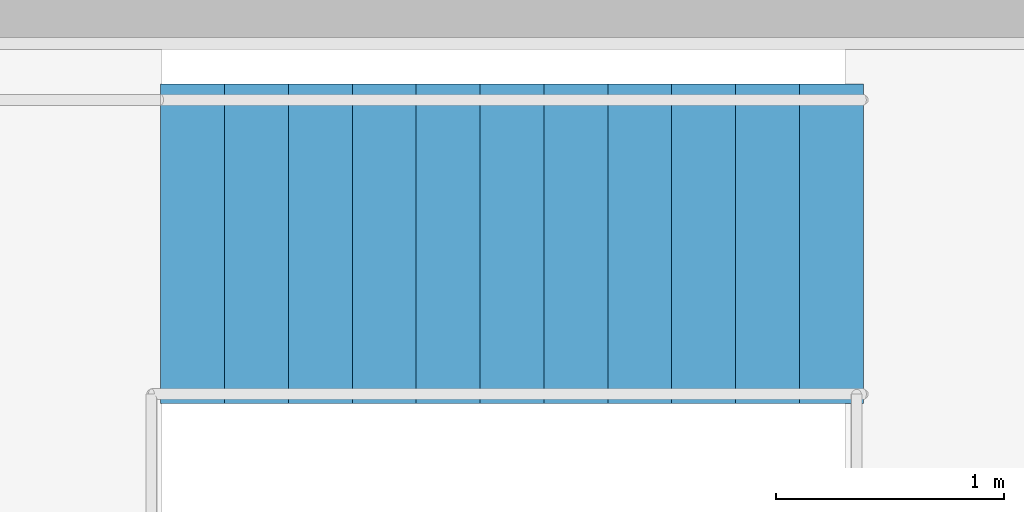
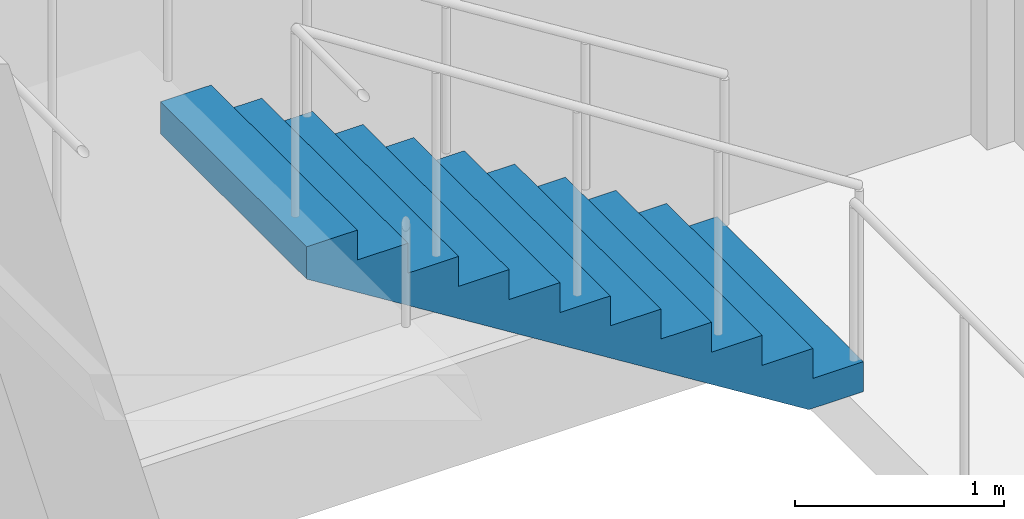
# One storey, part 5 of 6: 1 stair flight, 1 element without a shape of its own.
"""IFC4 building model written with IfcOpenShell, lengths in metres."""

import ifcopenshell
import ifcopenshell.guid

model = None  # the IFC model being written
_history = None  # IfcOwnerHistory: only IFC2X3 demands one
_inside = {}  # id of a spatial element -> (the spatial element, [elements in it])
_under = {}  # id of a project, library or spatial element -> (it, [spatial elements below it])
_declared = {}  # id of a project -> (the project, [libraries it declares])
_typed = {}  # id of a type object -> (the type object, [elements of that type])
_made_of = {}  # id of a material, layer set ... -> (it, [elements and type objects made of it])


def new_model(schema):
    """Start an empty IFC model of exactly this schema.

    Asked for "IFC4X3", IfcOpenShell would pick the latest addendum, in which some entities
    have other attributes; the version numbers below select the first issue.
    IFC2X3 requires an IfcOwnerHistory on every rooted entity: one is made here for all.
    """
    global model, _history
    if schema == "IFC4X3":
        model = ifcopenshell.file(schema_version=(4, 3, 0, 0))
    else:
        model = ifcopenshell.file(schema=schema)
    _inside.clear()
    _under.clear()
    _declared.clear()
    _typed.clear()
    _made_of.clear()
    _history = None
    if model.schema == "IFC2X3":
        org = make("IfcOrganization", Name="unknown")
        user = make(
            "IfcPersonAndOrganization",
            ThePerson=make("IfcPerson", FamilyName="unknown"),
            TheOrganization=org,
        )
        app = make(
            "IfcApplication",
            ApplicationDeveloper=org,
            Version="unknown",
            ApplicationFullName="unknown",
            ApplicationIdentifier="unknown",
        )
        _history = make(
            "IfcOwnerHistory",
            OwningUser=user,
            OwningApplication=app,
            ChangeAction="ADDED",
            CreationDate=0,
        )
    return model


def make(cls, **values):
    """One entity of the class cls with the attributes given. An attribute that is None is left unset."""
    return model.create_entity(
        cls, **{name: value for name, value in values.items() if value is not None}
    )


def rooted(cls, **values):
    """An entity with a GlobalId (a new one), such as an element, a storey or a relation."""
    return make(cls, GlobalId=ifcopenshell.guid.new(), OwnerHistory=_history, **values)


def si_unit(unit_type, name, prefix=None):
    """IfcSIUnit, for example si_unit("LENGTHUNIT", "METRE", prefix="MILLI")."""
    return make("IfcSIUnit", UnitType=unit_type, Prefix=prefix, Name=name)


def assignment(units):
    """IfcUnitAssignment: the units of a project."""
    return None if units is None else make("IfcUnitAssignment", Units=units)


def point(xyz):
    """IfcCartesianPoint."""
    return None if xyz is None else make("IfcCartesianPoint", Coordinates=xyz)


def direction(xyz):
    """IfcDirection."""
    return None if xyz is None else make("IfcDirection", DirectionRatios=xyz)


def frame(location, z_axis=None, x_axis=None):
    """IfcAxis2Placement3D, a coordinate frame: its origin and axes. An axis left out is left unset."""
    return make(
        "IfcAxis2Placement3D",
        Location=point(location),
        Axis=direction(z_axis),
        RefDirection=direction(x_axis),
    )


def origin():
    """The frame at (0, 0, 0) with its axes left unset."""
    return frame((0.0, 0.0, 0.0))


def place(relative_to, where):
    """IfcLocalPlacement: puts the frame where relative to a parent placement (None: the world)."""
    return make(
        "IfcLocalPlacement", PlacementRelTo=relative_to, RelativePlacement=where
    )


def context(
    kind, dimensions, precision=None, world=None, true_north=None, identifier=None
):
    """IfcGeometricRepresentationContext, for example the 3D "Model" context."""
    return make(
        "IfcGeometricRepresentationContext",
        ContextIdentifier=identifier,
        ContextType=kind,
        CoordinateSpaceDimension=dimensions,
        Precision=precision,
        WorldCoordinateSystem=world,
        TrueNorth=true_north,
    )


def subcontext(parent, identifier, kind, view, scale=None):
    """IfcGeometricRepresentationSubContext, for example "Body" below "Model"."""
    return make(
        "IfcGeometricRepresentationSubContext",
        ContextIdentifier=identifier,
        ContextType=kind,
        ParentContext=parent,
        TargetScale=scale,
        TargetView=view,
    )


def project(units=None, contexts=None):
    """IfcProject with its units and contexts."""
    return rooted(
        "IfcProject",
        Name="project",
        RepresentationContexts=contexts,
        UnitsInContext=assignment(units),
    )


def spatial(cls, under=None, at=None, **own):
    """A site, building, storey or space (cls), placed at a placement, below another one or the project."""
    s = rooted(cls, ObjectPlacement=at, **own)
    if under is not None:
        _under.setdefault(under.id(), (under, []))[1].append(s)
    return s


def polyline(points):
    """IfcPolyline through the points."""
    return make("IfcPolyline", Points=[point(p) for p in points])


def outline(outer, holes=None, kind="AREA"):
    """IfcArbitraryClosedProfileDef: a profile drawn as a closed curve; with holes, ...WithVoids."""
    if holes is None:
        return make("IfcArbitraryClosedProfileDef", ProfileType=kind, OuterCurve=outer)
    return make(
        "IfcArbitraryProfileDefWithVoids",
        ProfileType=kind,
        OuterCurve=outer,
        InnerCurves=holes,
    )


def extrude(swept, where, along, depth):
    """IfcExtrudedAreaSolid: the profile swept, set in the frame where, extruded along a direction by depth."""
    return make(
        "IfcExtrudedAreaSolid",
        SweptArea=swept,
        Position=where,
        ExtrudedDirection=direction(along),
        Depth=depth,
    )


def shape(context_of_items, identifier, shape_type, items):
    """IfcShapeRepresentation: the items that make up one representation, for example the "Body"."""
    return make(
        "IfcShapeRepresentation",
        ContextOfItems=context_of_items,
        RepresentationIdentifier=identifier,
        RepresentationType=shape_type,
        Items=items,
    )


def material(Name=None, Category=None):
    """IfcMaterial."""
    return make("IfcMaterial", Name=Name, Category=Category)


def made_of(thing, what):
    """Note that an element or type object is made of a material, layer set ...; save() writes the relation."""
    if what is not None:
        _made_of.setdefault(what.id(), (what, []))[1].append(thing)
    return thing


def type_object(cls, material=None, **own):
    """A type object (cls), such as IfcWallType, which elements share."""
    return made_of(rooted(cls, **own), material)


def element(
    cls,
    number,
    at=None,
    inside=None,
    cuts=None,
    type_object=None,
    material=None,
    context=None,
    identifier="Body",
    shape_type=None,
    held_by="IfcProductDefinitionShape",
    body=None,
    shapes=None,
    **own,
):
    """One element of the class cls, such as IfcWall. Its Tag is "e" and its number.

    at: its placement. inside: the storey or other place that contains it. cuts: it is an
    opening in that element (IfcRelVoidsElement). A single representation is given by context,
    identifier, shape_type and body (its items); several are given by shapes. held_by: the class
    of the entity that holds the representations. save() writes the other relations.
    """
    e = rooted(cls, Tag="e%d" % number, ObjectPlacement=at, **own)
    if body is not None:
        shapes = [shape(context, identifier, shape_type, body)]
    if shapes is not None:
        e.Representation = make(held_by, Representations=shapes)
    if inside is not None:
        _inside.setdefault(inside.id(), (inside, []))[1].append(e)
    if cuts is not None:
        rooted(
            "IfcRelVoidsElement", RelatingBuildingElement=cuts, RelatedOpeningElement=e
        )
    if type_object is not None:
        _typed.setdefault(type_object.id(), (type_object, []))[1].append(e)
    return made_of(e, material)


def aggregate(whole, parts):
    """IfcRelAggregates: a whole, such as a stair, and the parts it consists of."""
    return rooted("IfcRelAggregates", RelatingObject=whole, RelatedObjects=parts)


def save(model, path):
    """Write the relations noted so far, then the file.

    IfcRelAggregates (storeys below a building ...), IfcRelContainedInSpatialStructure (elements
    in a storey), IfcRelDefinesByType, IfcRelAssociatesMaterial and IfcRelDeclares: one each for
    every whole, place, type object, material and project.
    """
    for whole, parts in _under.values():
        aggregate(whole, parts)
    for where, things in _inside.values():
        rooted(
            "IfcRelContainedInSpatialStructure",
            RelatedElements=things,
            RelatingStructure=where,
        )
    for kind, things in _typed.values():
        rooted("IfcRelDefinesByType", RelatedObjects=things, RelatingType=kind)
    for what, things in _made_of.values():
        rooted("IfcRelAssociatesMaterial", RelatedObjects=things, RelatingMaterial=what)
    for by, libraries in _declared.values():
        rooted("IfcRelDeclares", RelatingContext=by, RelatedDefinitions=libraries)
    model.write(path)


model = new_model("IFC4")

# Units and contexts
model_context = context("Model", 3, precision=1e-05, world=origin(), true_north=direction((0.0, 1.0)))
body_context = subcontext(model_context, "Body", "Model", "MODEL_VIEW")
ifc_project = project(units=[si_unit("LENGTHUNIT", "METRE"), si_unit("AREAUNIT", "SQUARE_METRE"), si_unit("VOLUMEUNIT", "CUBIC_METRE"), si_unit("PLANEANGLEUNIT", "RADIAN"), si_unit("MASSUNIT", "GRAM", prefix="KILO")], contexts=[model_context])

# Site, building, storey
site_placement = place(None, origin())
site = spatial("IfcSite", under=ifc_project, at=site_placement, CompositionType="ELEMENT")
building_placement = place(site_placement, origin())
building = spatial("IfcBuilding", under=site, at=building_placement, Name="Rusizi Kubbe Research Institute", CompositionType="ELEMENT")
storey_placement = place(building_placement, frame((0.0, 0.0, 69.0)))
storey = spatial("IfcBuildingStorey", under=building, at=storey_placement, Name="L16", CompositionType="ELEMENT", Elevation=69.0)

# Stair, stair flight
ifc_material_1 = material(Name="Concrete C40/50", Category="concrete")
stair_type = type_object("IfcStairType", Name="ST-H420A", PredefinedType="HALF_TURN_STAIR", material=ifc_material_1)
stair_placement = place(storey_placement, origin())
stair = element("IfcStair", 1, at=stair_placement, inside=storey, type_object=stair_type, Name="Protected Exit Stair ST2 (L16)", PredefinedType="HALF_TURN_STAIR")
ifc_material_2 = material(Name="Concrete C40/50", Category="concrete")
stair_flight_type = type_object("IfcStairFlightType", Name="FL-H420A", PredefinedType="STRAIGHT", material=ifc_material_2)
stair_flight_placement = place(storey_placement, frame((4.780029296875, 31.949951171875, 0.0), z_axis=(0.0, 0.0, 1.0), x_axis=(-1.0, 0.0, 0.0)))
stair_flight = element("IfcStairFlight", 2, at=stair_flight_placement, type_object=stair_flight_type, Name="ST2 flight 1", NumberOfRisers=12, NumberOfTreads=11, PredefinedType="STRAIGHT", RiserHeight=0.175, TreadLength=0.28, context=body_context, shape_type="SweptSolid", body=[
    extrude(outline(polyline([(0.0, 0.0), (0.0, 0.175048828125), (0.280029296875, 0.175048828125), (0.280029296875, 0.35009765625), (0.56005859375, 0.35009765625), (0.56005859375, 0.52490234375), (0.840087890625, 0.52490234375), (0.840087890625, 0.699951171875), (1.1201171875, 0.699951171875), (1.1201171875, 0.875), (1.39990234375, 0.875), (1.39990234375, 1.050048828125), (1.679931640625, 1.050048828125), (1.679931640625, 1.22509765625), (1.9599609375, 1.22509765625), (1.9599609375, 1.39990234375), (2.239990234375, 1.39990234375), (2.239990234375, 1.574951171875), (2.52001953125, 1.574951171875), (2.52001953125, 1.75), (2.800048828125, 1.75), (2.800048828125, 1.925048828125), (3.080078125, 1.925048828125), (3.080078125, 2.10009765625), (3.080078125, 1.736328125), (0.3017578125, 0.0), (0.0, 0.0)])), frame((0.0, 0.699951171875, 0.0), z_axis=(0.0, -1.0, 0.0), x_axis=(1.0, 0.0, 0.0)), (0.0, 0.0, 1.0), 1.39990234375),
])
aggregate(stair, [stair_flight])

save(model, "model.ifc")
